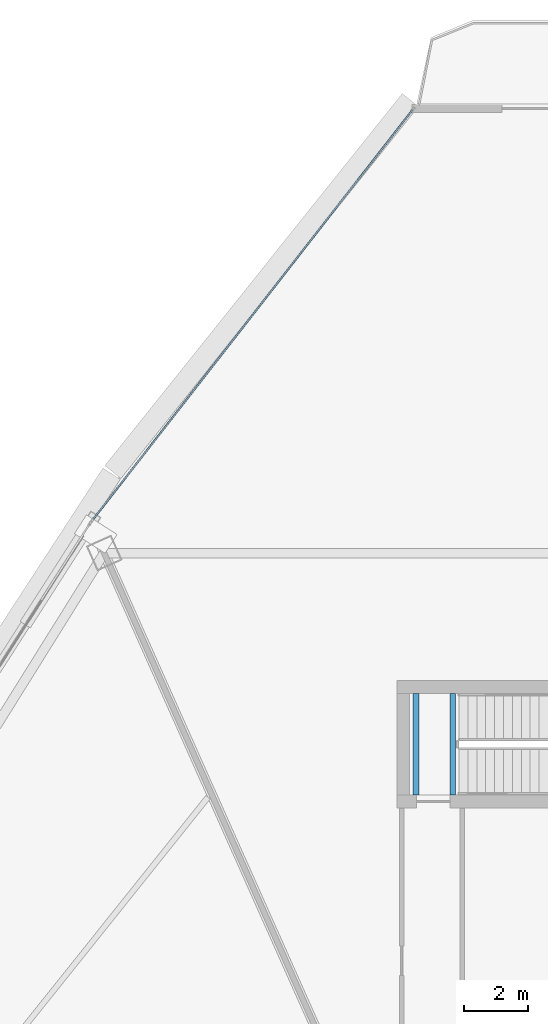
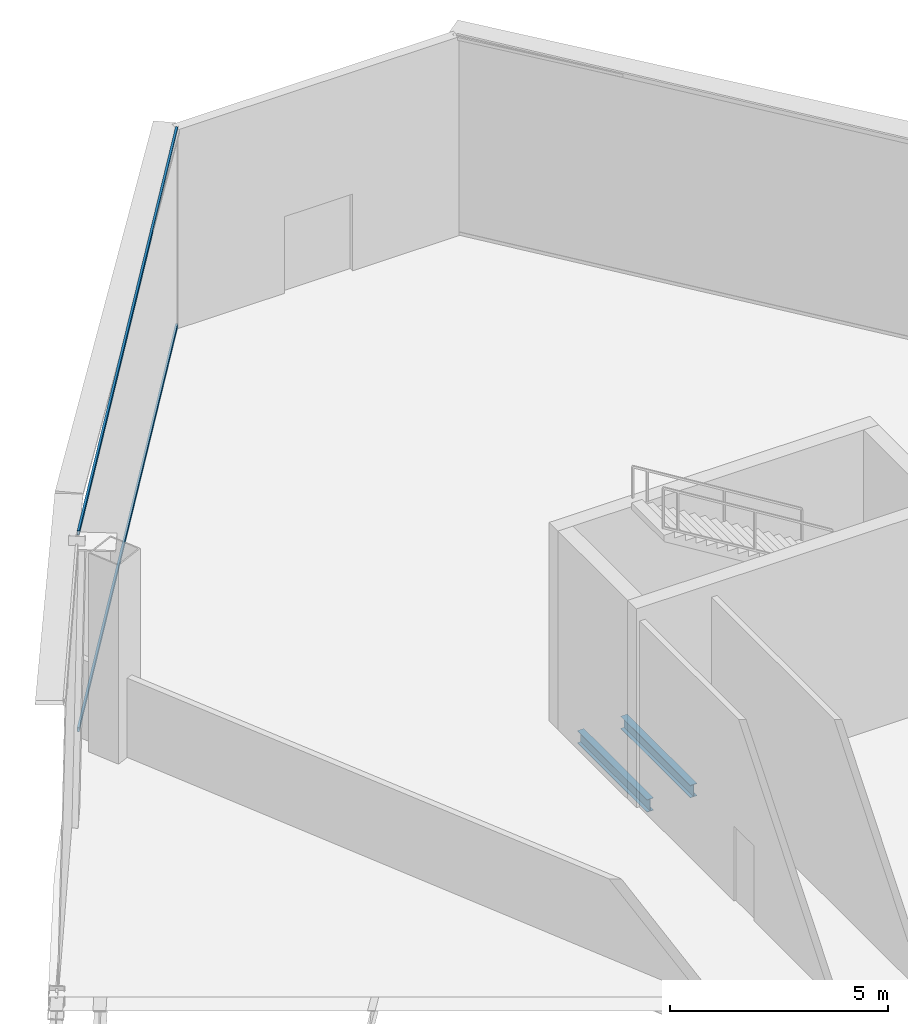
# One storey, part 20 of 38: 2 beams, 2 members, 1 element without a shape of its own.
"""IFC4 building model written with IfcOpenShell, lengths in metres."""

from ifc_helpers import new_model, si_unit, direction, frame, origin, origin_2d, place, context, subcontext, project, spatial, hollow_rectangle, i_section, extrude, source, transform, mapped, material, layer, layer_set, material_profile, profile_set, type_object, element, aggregate, save


model = new_model("IFC4")

# Units and contexts
model_context = context("Model", 3, precision=1e-05, world=origin(), true_north=direction((0.0, 1.0)))
body_context = subcontext(model_context, "Body", "Model", "MODEL_VIEW")
ifc_project = project(units=[si_unit("LENGTHUNIT", "METRE"), si_unit("AREAUNIT", "SQUARE_METRE"), si_unit("VOLUMEUNIT", "CUBIC_METRE"), si_unit("PLANEANGLEUNIT", "RADIAN"), si_unit("MASSUNIT", "GRAM", prefix="KILO"), si_unit("THERMODYNAMICTEMPERATUREUNIT", "KELVIN"), si_unit("POWERUNIT", "WATT")], contexts=[model_context])

# Site, building, storey
site_placement = place(None, origin())
site = spatial("IfcSite", under=ifc_project, at=site_placement, CompositionType="ELEMENT")
building_placement = place(site_placement, origin())
building = spatial("IfcBuilding", under=site, at=building_placement, Name="Yunzhuo Pagoda Commons", CompositionType="ELEMENT")
storey_placement = place(building_placement, frame((0.0, 0.0, 266.909912109375)))
storey = spatial("IfcBuildingStorey", under=building, at=storey_placement, Name="L67", CompositionType="ELEMENT", Elevation=266.909912109375)

# Beams
ifc_material_1 = material(Name="Structural steel Q355B", Category="steel")
ifc_material_profile_1 = material_profile(ifc_material_1, i_section(OverallWidth=0.175048828125, OverallDepth=0.35009765625, WebThickness=0.007080078125, FlangeThickness=0.010986328125, at=origin_2d()), Name="Structural steel Q355B")
ifc_profile_set_1 = profile_set([ifc_material_profile_1], Name="Structural steel Q355B")
beam_type = type_object("IfcBeamType", Name="B-JS2 Joist HN 350x175x7x11", PredefinedType="JOIST", material=ifc_profile_set_1)
shared_shape_1 = source(origin(), body_context, "Body", "SweptSolid", [
    extrude(i_section(OverallWidth=0.175048828125, OverallDepth=0.35009765625, WebThickness=0.007080078125, FlangeThickness=0.010986328125, at=origin_2d()), origin(), (0.0, 0.0, 1.0), 3.199951171875),
])
for number, where, z_axis, x_axis, name in (
    (1, (44.39990234375, 56.199951171875, -0.375), (0.0, 1.0, 0.0), (-1.0, 0.0, 0.0), "L67 ST3 landing support beam 141A"),
    (2, (45.550048828125, 56.199951171875, -0.375), (0.0, 1.0, 0.0), (-1.0, 0.0, 0.0), "L67 ST3 landing support beam 141B"),
):
    element("IfcBeam", number, at=place(storey_placement, frame(where, z_axis=z_axis, x_axis=x_axis)), inside=storey, type_object=beam_type, Name=name, PredefinedType="JOIST", context=body_context, shape_type="MappedRepresentation", body=[
        mapped(shared_shape_1, transform((0.0, 0.0, 0.0), scale=1.0)),
    ])

# Curtain wall, members
ifc_material_2 = material(Name="Anodized aluminium 6063-T6", Category="aluminium")
ifc_layer = layer(ifc_material_2, 0.139892578125)
ifc_layer_set = layer_set([ifc_layer], Name="Anodized aluminium 6063-T6")
curtain_wall_type = type_object("IfcCurtainWallType", Name="CW-HI High-Zone Ribbon Curtain Wall", PredefinedType="NOTDEFINED", material=ifc_layer_set)
curtain_wall_placement = place(storey_placement, origin())
curtain_wall = element("IfcCurtainWall", 3, at=curtain_wall_placement, inside=storey, type_object=curtain_wall_type, Name="L67 curtain wall CW-L67-F3B1", PredefinedType="NOTDEFINED")
ifc_material_profile_2 = material_profile(ifc_material_2, hollow_rectangle(XDim=0.054931640625, YDim=0.1201171875, WallThickness=0.00341796875, at=origin_2d()), Name="Anodized aluminium 6063-T6")
ifc_profile_set_2 = profile_set([ifc_material_profile_2], Name="Anodized aluminium 6063-T6")
member_type = type_object("IfcMemberType", Name="CW-HI-T Transom RHS 120x55x3.5", PredefinedType="USERDEFINED", material=ifc_profile_set_2)
shared_shape_2 = source(origin(), body_context, "Body", "SweptSolid", [
    extrude(hollow_rectangle(XDim=0.054931640625, YDim=0.1201171875, WallThickness=0.00341796875, at=origin_2d()), origin(), (0.0, 0.0, 1.0), 16.322998046875),
])
member_1_placement = place(storey_placement, frame((44.288818359375, 77.747802734375, 0.027587890625), z_axis=(-0.615057278279, -0.788482431279, 0.0), x_axis=(0.788482431279, -0.615057278279, 0.0)))
member_1 = element("IfcMember", 4, at=member_1_placement, type_object=member_type, Name="CW transom 1.1", ObjectType="TRANSOM", PredefinedType="USERDEFINED", context=body_context, shape_type="MappedRepresentation", body=[
    mapped(shared_shape_2, transform((0.0, 0.0, 0.0), scale=1.0)),
])
member_2_placement = place(storey_placement, frame((44.288818359375, 77.747802734375, 5.54248046875), z_axis=(-0.615057278279, -0.788482431279, 0.0), x_axis=(0.788482431279, -0.615057278279, 0.0)))
member_2 = element("IfcMember", 5, at=member_2_placement, type_object=member_type, Name="CW transom 1.2", ObjectType="TRANSOM", PredefinedType="USERDEFINED", context=body_context, shape_type="MappedRepresentation", body=[
    mapped(shared_shape_2, transform((0.0, 0.0, 0.0), scale=1.0)),
])
aggregate(curtain_wall, [member_1, member_2])

save(model, "model.ifc")
